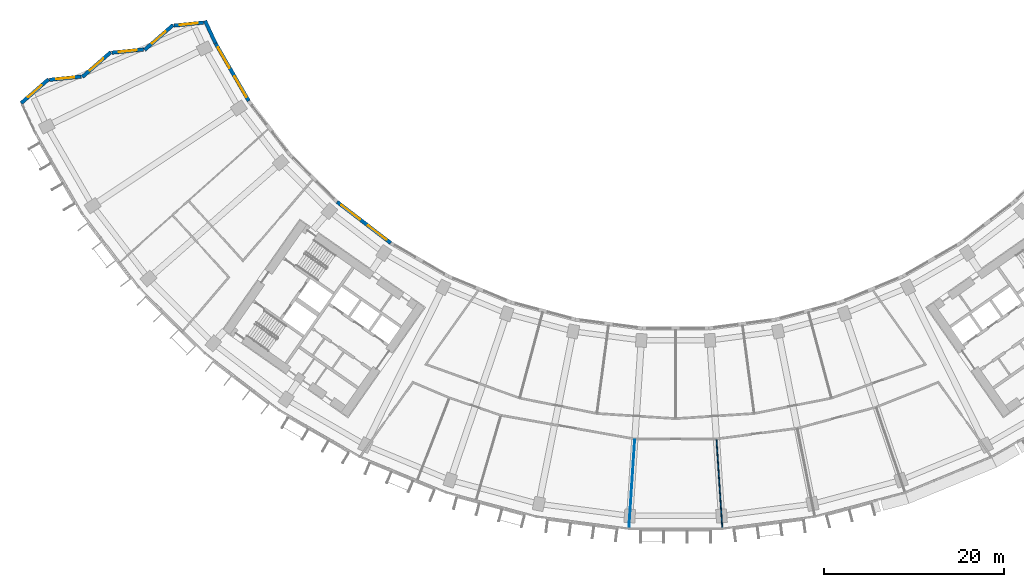
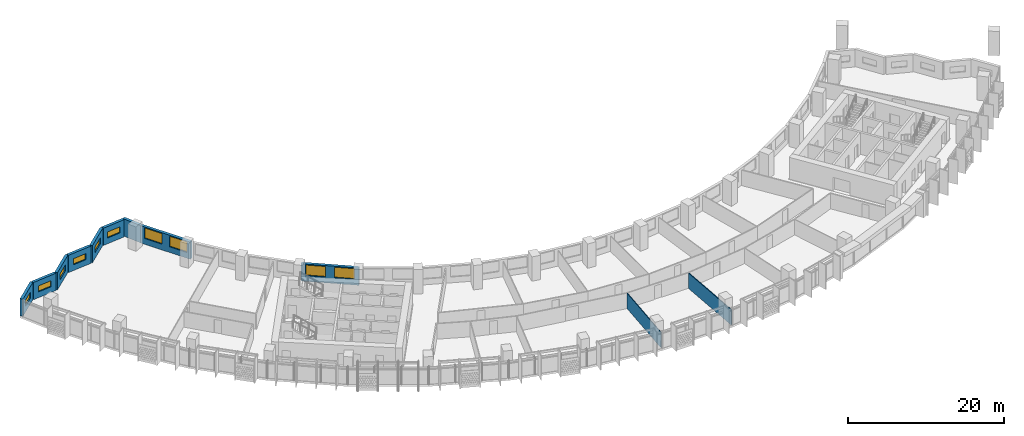
# One storey, part 5 of 28: 11 walls, 10 windows, 10 openings.
"""IFC4 building model written with IfcOpenShell, lengths in metres."""

from ifc_helpers import new_model, si_unit, direction, frame, frame_2d, origin, place, context, subcontext, project, spatial, rectangle, extrude, material, layer, layer_set, type_object, element, fill, save


model = new_model("IFC4")

# Units and contexts
model_context = context("Model", 3, precision=1e-05, world=origin(), true_north=direction((0.0, 1.0)))
body_context = subcontext(model_context, "Body", "Model", "MODEL_VIEW")
ifc_project = project(units=[si_unit("LENGTHUNIT", "METRE"), si_unit("AREAUNIT", "SQUARE_METRE"), si_unit("VOLUMEUNIT", "CUBIC_METRE"), si_unit("PLANEANGLEUNIT", "RADIAN"), si_unit("MASSUNIT", "GRAM", prefix="KILO")], contexts=[model_context])

# Site, building, storey
site_placement = place(None, origin())
site = spatial("IfcSite", under=ifc_project, at=site_placement, CompositionType="ELEMENT")
building_placement = place(site_placement, origin())
building = spatial("IfcBuilding", under=site, at=building_placement, Name="Qamariyya Broadcast Tower", CompositionType="ELEMENT")
storey_placement = place(building_placement, frame((0.0, 0.0, 140.5)))
storey = spatial("IfcBuildingStorey", under=building, at=storey_placement, Name="L32", CompositionType="ELEMENT", Elevation=140.5)

# Walls
ifc_material_1 = material(Name="Operable acoustic wall panels")
ifc_layer_1 = layer(ifc_material_1, 0.125)
ifc_layer_set_1 = layer_set([ifc_layer_1], Name="Operable acoustic partition 125")
wall_type_1 = type_object("IfcWallType", Name="Operable acoustic partition 125", PredefinedType="MOVABLE", material=ifc_layer_set_1)
wall_1_placement = place(storey_placement, frame((5.17333984375, -78.9306640625, 0.0), z_axis=(0.0, 0.0, 1.0), x_axis=(-0.065402415744, 0.997858970003, 0.0)))
element("IfcWall", 1, at=wall_1_placement, inside=storey, type_object=wall_type_1, Name="Operable partition L32-025", PredefinedType="MOVABLE", context=body_context, shape_type="SweptSolid", body=[
    extrude(rectangle(XDim=9.824951171875, YDim=0.125, at=frame_2d((4.91259765625, 0.0))), origin(), (0.0, 0.0, 1.0), 2.39990234375),
])
ifc_material_2 = material(Name="Gypsum board partition")
ifc_layer_2 = layer(ifc_material_2, 0.10009765625)
ifc_layer_set_2 = layer_set([ifc_layer_2], Name="Partition 100")
wall_type_2 = type_object("IfcWallType", Name="Partition 100", PredefinedType="PARTITIONING", material=ifc_layer_set_2)
wall_2_placement = place(storey_placement, frame((-5.17333984375, -78.9306640625, 0.0), z_axis=(0.0, 0.0, 1.0), x_axis=(0.065402415744, 0.997858970003, 0.0)))
element("IfcWall", 2, at=wall_2_placement, inside=storey, type_object=wall_type_2, Name="Partition L32-020", PredefinedType="PARTITIONING", context=body_context, shape_type="SweptSolid", body=[
    extrude(rectangle(XDim=9.824951171875, YDim=0.10009765625, at=frame_2d((4.91259765625, 0.0))), origin(), (0.0, 0.0, 1.0), 2.39990234375),
])

# Wall, opening, window
ifc_material_3 = material(Name="Terracotta", Category="masonry")
ifc_layer_3 = layer(ifc_material_3, 0.39990234375)
ifc_layer_set_3 = layer_set([ifc_layer_3], Name="Terracotta clad wall 400")
wall_type_3 = type_object("IfcWallType", Name="Terracotta clad wall 400", PredefinedType="SOLIDWALL", material=ifc_layer_set_3)
wall_3_placement = place(storey_placement, frame((-52.355224609375, -22.878173828125, 0.0), z_axis=(0.0, 0.0, 1.0), x_axis=(-0.99486451318, -0.101215613493, 0.0)))
wall_3 = element("IfcWall", 3, at=wall_3_placement, inside=storey, type_object=wall_type_3, Name="e-wl-L32-capW0", PredefinedType="SOLIDWALL", context=body_context, shape_type="SweptSolid", body=[
    extrude(rectangle(XDim=3.275634765625, YDim=0.39990234375, at=frame_2d((1.6376953125, 0.0))), origin(), (0.0, 0.0, 1.0), 2.699951171875),
])
opening_1_placement = place(wall_3_placement, frame((0.6376953125, 0.0, 0.89990234375)))
opening_1 = element("IfcOpeningElement", 4, at=opening_1_placement, cuts=wall_3, Name="Opening W4", PredefinedType="OPENING", context=body_context, shape_type="SweptSolid", body=[
    extrude(rectangle(XDim=2.0, YDim=0.949951171875, at=frame_2d((1.0, 0.47509765625))), frame((0.0, 0.2099609375, 0.0), z_axis=(0.0, -1.0, 0.0), x_axis=(1.0, 0.0, 0.0)), (0.0, 0.0, 1.0), 0.419921875),
])
ifc_material_4 = material(Name="Clear low-e double glazed unit in aluminium frame", Category="aluminium")
window_type_1 = type_object("IfcWindowType", Name="Horn bay window 2000 x 950", PartitioningType="SINGLE_PANEL", PredefinedType="WINDOW", material=ifc_material_4)
window_1_placement = place(opening_1_placement, origin())
window_1 = element("IfcWindow", 5, at=window_1_placement, inside=storey, type_object=window_type_1, Name="e-w-L32-capW0", OverallHeight=0.949951171875, OverallWidth=2.0, PartitioningType="SINGLE_PANEL", PredefinedType="WINDOW", context=body_context, shape_type="SweptSolid", body=[
    extrude(rectangle(XDim=2.0, YDim=0.949951171875, at=frame_2d((1.0, 0.47509765625))), frame((0.0, 0.030029296875, 0.0), z_axis=(0.0, -1.0, 0.0), x_axis=(1.0, 0.0, 0.0)), (0.0, 0.0, 1.0), 0.06005859375),
])
fill(opening_1, window_1)

wall_4_placement = place(storey_placement, frame((-55.735595703125, -23.1552734375, 0.0), z_axis=(0.0, 0.0, 1.0), x_axis=(-0.752951562927, -0.65807594082, 0.0)))
wall_4 = element("IfcWall", 6, at=wall_4_placement, inside=storey, type_object=wall_type_3, Name="e-wl-L32-capW1", PredefinedType="SOLIDWALL", context=body_context, shape_type="SweptSolid", body=[
    extrude(rectangle(XDim=4.1943359375, YDim=0.39990234375, at=frame_2d((2.09716796875, 0.0))), origin(), (0.0, 0.0, 1.0), 2.699951171875),
])
opening_2_placement = place(wall_4_placement, frame((1.09716796875, 0.0, 0.89990234375)))
opening_2 = element("IfcOpeningElement", 7, at=opening_2_placement, cuts=wall_4, Name="Opening W4", PredefinedType="OPENING", context=body_context, shape_type="SweptSolid", body=[
    extrude(rectangle(XDim=2.0, YDim=0.949951171875, at=frame_2d((1.0, 0.47509765625))), frame((0.0, 0.2099609375, 0.0), z_axis=(0.0, -1.0, 0.0), x_axis=(1.0, 0.0, 0.0)), (0.0, 0.0, 1.0), 0.419921875),
])
window_2_placement = place(opening_2_placement, origin())
window_2 = element("IfcWindow", 8, at=window_2_placement, inside=storey, type_object=window_type_1, Name="e-w-L32-capW1", OverallHeight=0.949951171875, OverallWidth=2.0, PartitioningType="SINGLE_PANEL", PredefinedType="WINDOW", context=body_context, shape_type="SweptSolid", body=[
    extrude(rectangle(XDim=2.0, YDim=0.949951171875, at=frame_2d((1.0, 0.47509765625))), frame((0.0, 0.030029296875, 0.0), z_axis=(0.0, -1.0, 0.0), x_axis=(1.0, 0.0, 0.0)), (0.0, 0.0, 1.0), 0.06005859375),
])
fill(opening_2, window_2)

wall_5_placement = place(storey_placement, frame((-59.015380859375, -25.861083984375, 0.0), z_axis=(0.0, 0.0, 1.0), x_axis=(-0.994852399112, -0.101334613932, 0.0)))
wall_5 = element("IfcWall", 9, at=wall_5_placement, inside=storey, type_object=wall_type_3, Name="e-wl-L32-capW2", PredefinedType="SOLIDWALL", context=body_context, shape_type="SweptSolid", body=[
    extrude(rectangle(XDim=3.524658203125, YDim=0.39990234375, at=frame_2d((1.76220703125, 0.0))), origin(), (0.0, 0.0, 1.0), 2.699951171875),
])
opening_3_placement = place(wall_5_placement, frame((0.762451171875, 0.0, 0.89990234375)))
opening_3 = element("IfcOpeningElement", 10, at=opening_3_placement, cuts=wall_5, Name="Opening W4", PredefinedType="OPENING", context=body_context, shape_type="SweptSolid", body=[
    extrude(rectangle(XDim=2.0, YDim=0.949951171875, at=frame_2d((1.0, 0.47509765625))), frame((0.0, 0.2099609375, 0.0), z_axis=(0.0, -1.0, 0.0), x_axis=(1.0, 0.0, 0.0)), (0.0, 0.0, 1.0), 0.419921875),
])
window_3_placement = place(opening_3_placement, origin())
window_3 = element("IfcWindow", 11, at=window_3_placement, inside=storey, type_object=window_type_1, Name="e-w-L32-capW2", OverallHeight=0.949951171875, OverallWidth=2.0, PartitioningType="SINGLE_PANEL", PredefinedType="WINDOW", context=body_context, shape_type="SweptSolid", body=[
    extrude(rectangle(XDim=2.0, YDim=0.949951171875, at=frame_2d((1.0, 0.47509765625))), frame((0.0, 0.030029296875, 0.0), z_axis=(0.0, -1.0, 0.0), x_axis=(1.0, 0.0, 0.0)), (0.0, 0.0, 1.0), 0.06005859375),
])
fill(opening_3, window_3)

wall_6_placement = place(storey_placement, frame((-62.6435546875, -26.16357421875, 0.0), z_axis=(0.0, 0.0, 1.0), x_axis=(-0.752883186222, -0.658154167277, 0.0)))
wall_6 = element("IfcWall", 12, at=wall_6_placement, inside=storey, type_object=wall_type_3, Name="e-wl-L32-capW3", PredefinedType="SOLIDWALL", context=body_context, shape_type="SweptSolid", body=[
    extrude(rectangle(XDim=4.193115234375, YDim=0.39990234375, at=frame_2d((2.0966796875, 0.0))), origin(), (0.0, 0.0, 1.0), 2.699951171875),
])
opening_4_placement = place(wall_6_placement, frame((1.0966796875, 0.0, 0.89990234375)))
opening_4 = element("IfcOpeningElement", 13, at=opening_4_placement, cuts=wall_6, Name="Opening W4", PredefinedType="OPENING", context=body_context, shape_type="SweptSolid", body=[
    extrude(rectangle(XDim=2.0, YDim=0.949951171875, at=frame_2d((1.0, 0.47509765625))), frame((0.0, 0.2099609375, 0.0), z_axis=(0.0, -1.0, 0.0), x_axis=(1.0, 0.0, 0.0)), (0.0, 0.0, 1.0), 0.419921875),
])
window_4_placement = place(opening_4_placement, origin())
window_4 = element("IfcWindow", 14, at=window_4_placement, inside=storey, type_object=window_type_1, Name="e-w-L32-capW3", OverallHeight=0.949951171875, OverallWidth=2.0, PartitioningType="SINGLE_PANEL", PredefinedType="WINDOW", context=body_context, shape_type="SweptSolid", body=[
    extrude(rectangle(XDim=2.0, YDim=0.949951171875, at=frame_2d((1.0, 0.47509765625))), frame((0.0, 0.030029296875, 0.0), z_axis=(0.0, -1.0, 0.0), x_axis=(1.0, 0.0, 0.0)), (0.0, 0.0, 1.0), 0.06005859375),
])
fill(opening_4, window_4)

wall_7_placement = place(storey_placement, frame((-65.922119140625, -28.868896484375, 0.0), z_axis=(0.0, 0.0, 1.0), x_axis=(-0.994841275779, -0.101443757849, 0.0)))
wall_7 = element("IfcWall", 15, at=wall_7_placement, inside=storey, type_object=wall_type_3, Name="e-wl-L32-capW4", PredefinedType="SOLIDWALL", context=body_context, shape_type="SweptSolid", body=[
    extrude(rectangle(XDim=3.525634765625, YDim=0.39990234375, at=frame_2d((1.7626953125, 0.0))), origin(), (0.0, 0.0, 1.0), 2.699951171875),
])
opening_5_placement = place(wall_7_placement, frame((0.762939453125, 0.0, 0.89990234375)))
opening_5 = element("IfcOpeningElement", 16, at=opening_5_placement, cuts=wall_7, Name="Opening W4", PredefinedType="OPENING", context=body_context, shape_type="SweptSolid", body=[
    extrude(rectangle(XDim=2.0, YDim=0.949951171875, at=frame_2d((1.0, 0.47509765625))), frame((0.0, 0.2099609375, 0.0), z_axis=(0.0, -1.0, 0.0), x_axis=(1.0, 0.0, 0.0)), (0.0, 0.0, 1.0), 0.419921875),
])
window_5_placement = place(opening_5_placement, origin())
window_5 = element("IfcWindow", 17, at=window_5_placement, inside=storey, type_object=window_type_1, Name="e-w-L32-capW4", OverallHeight=0.949951171875, OverallWidth=2.0, PartitioningType="SINGLE_PANEL", PredefinedType="WINDOW", context=body_context, shape_type="SweptSolid", body=[
    extrude(rectangle(XDim=2.0, YDim=0.949951171875, at=frame_2d((1.0, 0.47509765625))), frame((0.0, 0.030029296875, 0.0), z_axis=(0.0, -1.0, 0.0), x_axis=(1.0, 0.0, 0.0)), (0.0, 0.0, 1.0), 0.06005859375),
])
fill(opening_5, window_5)

wall_8_placement = place(storey_placement, frame((-69.55126953125, -29.172119140625, 0.0), z_axis=(0.0, 0.0, 1.0), x_axis=(-0.752847949113, -0.658194473933, 0.0)))
wall_8 = element("IfcWall", 18, at=wall_8_placement, inside=storey, type_object=wall_type_3, Name="e-wl-L32-capW5", PredefinedType="SOLIDWALL", context=body_context, shape_type="SweptSolid", body=[
    extrude(rectangle(XDim=4.013427734375, YDim=0.39990234375, at=frame_2d((2.0068359375, 0.0))), origin(), (0.0, 0.0, 1.0), 2.699951171875),
])
opening_6_placement = place(wall_8_placement, frame((1.0068359375, 0.0, 0.89990234375)))
opening_6 = element("IfcOpeningElement", 19, at=opening_6_placement, cuts=wall_8, Name="Opening W4", PredefinedType="OPENING", context=body_context, shape_type="SweptSolid", body=[
    extrude(rectangle(XDim=2.0, YDim=0.949951171875, at=frame_2d((1.0, 0.47509765625))), frame((0.0, 0.2099609375, 0.0), z_axis=(0.0, -1.0, 0.0), x_axis=(1.0, 0.0, 0.0)), (0.0, 0.0, 1.0), 0.419921875),
])
window_6_placement = place(opening_6_placement, origin())
window_6 = element("IfcWindow", 20, at=window_6_placement, inside=storey, type_object=window_type_1, Name="e-w-L32-capW5", OverallHeight=0.949951171875, OverallWidth=2.0, PartitioningType="SINGLE_PANEL", PredefinedType="WINDOW", context=body_context, shape_type="SweptSolid", body=[
    extrude(rectangle(XDim=2.0, YDim=0.949951171875, at=frame_2d((1.0, 0.47509765625))), frame((0.0, 0.030029296875, 0.0), z_axis=(0.0, -1.0, 0.0), x_axis=(1.0, 0.0, 0.0)), (0.0, 0.0, 1.0), 0.06005859375),
])
fill(opening_6, window_6)

# Wall
wall_9_placement = place(storey_placement, frame((-51.02392578125, -25.18359375, 0.0), z_axis=(0.0, 0.0, 1.0), x_axis=(-0.420942341964, 0.907087396419, 0.0)))
element("IfcWall", 21, at=wall_9_placement, inside=storey, type_object=wall_type_3, Name="e-wl-L32-in00", PredefinedType="SOLIDWALL", context=body_context, shape_type="SweptSolid", body=[
    extrude(rectangle(XDim=2.759521484375, YDim=0.39990234375, at=frame_2d((1.3798828125, 0.0))), origin(), (0.0, 0.0, 1.0), 2.699951171875),
])

# Wall, openings, windows
wall_10_placement = place(storey_placement, frame((-47.33642578125, -31.568359375, 0.0), z_axis=(0.0, 0.0, 1.0), x_axis=(-0.499994443168, 0.866028611999, 0.0)))
wall_10 = element("IfcWall", 22, at=wall_10_placement, inside=storey, type_object=wall_type_3, Name="e-wl-L32-in10", PredefinedType="SOLIDWALL", context=body_context, shape_type="SweptSolid", body=[
    extrude(rectangle(XDim=7.35546875, YDim=0.39990234375, at=frame_2d((3.677734375, 0.0))), origin(), (0.0, 0.0, 1.0), 2.699951171875),
])
opening_7_placement = place(wall_10_placement, frame((4.224853515625, 0.0, 0.89990234375)))
opening_7 = element("IfcOpeningElement", 23, at=opening_7_placement, cuts=wall_10, Name="Opening W1", PredefinedType="OPENING", context=body_context, shape_type="SweptSolid", body=[
    extrude(rectangle(XDim=2.60009765625, YDim=1.64990234375, at=frame_2d((1.300048828125, 0.824951171875))), frame((0.0, 0.2099609375, 0.0), z_axis=(0.0, -1.0, 0.0), x_axis=(1.0, 0.0, 0.0)), (0.0, 0.0, 1.0), 0.419921875),
])
opening_8_placement = place(wall_10_placement, frame((0.5166015625, 0.0, 0.89990234375)))
opening_8 = element("IfcOpeningElement", 24, at=opening_8_placement, cuts=wall_10, Name="Opening W1", PredefinedType="OPENING", context=body_context, shape_type="SweptSolid", body=[
    extrude(rectangle(XDim=2.60009765625, YDim=1.64990234375, at=frame_2d((1.300048828125, 0.824951171875))), frame((0.0, 0.2099609375, 0.0), z_axis=(0.0, -1.0, 0.0), x_axis=(1.0, 0.0, 0.0)), (0.0, 0.0, 1.0), 0.419921875),
])
window_type_2 = type_object("IfcWindowType", Name="Ribbon window 2600 x 1650", PartitioningType="SINGLE_PANEL", PredefinedType="WINDOW", material=ifc_material_4)
window_7_placement = place(opening_7_placement, origin())
window_7 = element("IfcWindow", 25, at=window_7_placement, inside=storey, type_object=window_type_2, Name="e-w-L32-in01-0", OverallHeight=1.64990234375, OverallWidth=2.60009765625, PartitioningType="SINGLE_PANEL", PredefinedType="WINDOW", context=body_context, shape_type="SweptSolid", body=[
    extrude(rectangle(XDim=2.60009765625, YDim=1.64990234375, at=frame_2d((1.300048828125, 0.824951171875))), frame((0.0, 0.030029296875, 0.0), z_axis=(0.0, -1.0, 0.0), x_axis=(1.0, 0.0, 0.0)), (0.0, 0.0, 1.0), 0.06005859375),
])
fill(opening_7, window_7)
window_8_placement = place(opening_8_placement, origin())
window_8 = element("IfcWindow", 26, at=window_8_placement, inside=storey, type_object=window_type_2, Name="e-w-L32-in01-1", OverallHeight=1.64990234375, OverallWidth=2.60009765625, PartitioningType="SINGLE_PANEL", PredefinedType="WINDOW", context=body_context, shape_type="SweptSolid", body=[
    extrude(rectangle(XDim=2.60009765625, YDim=1.64990234375, at=frame_2d((1.300048828125, 0.824951171875))), frame((0.0, 0.030029296875, 0.0), z_axis=(0.0, -1.0, 0.0), x_axis=(1.0, 0.0, 0.0)), (0.0, 0.0, 1.0), 0.06005859375),
])
fill(opening_8, window_8)

wall_11_placement = place(storey_placement, frame((-31.59228515625, -47.326171875, 0.0), z_axis=(0.0, 0.0, 1.0), x_axis=(-0.793363487476, 0.608748204711, 0.0)))
wall_11 = element("IfcWall", 27, at=wall_11_placement, inside=storey, type_object=wall_type_3, Name="e-wl-L32-in40", PredefinedType="SOLIDWALL", context=body_context, shape_type="SweptSolid", body=[
    extrude(rectangle(XDim=7.492919921875, YDim=0.39990234375, at=frame_2d((3.74658203125, 0.0))), origin(), (0.0, 0.0, 1.0), 2.699951171875),
])
opening_9_placement = place(wall_11_placement, frame((4.300537109375, 0.0, 0.89990234375)))
opening_9 = element("IfcOpeningElement", 28, at=opening_9_placement, cuts=wall_11, Name="Opening W1", PredefinedType="OPENING", context=body_context, shape_type="SweptSolid", body=[
    extrude(rectangle(XDim=2.60009765625, YDim=1.64990234375, at=frame_2d((1.300048828125, 0.824951171875))), frame((0.0, 0.2099609375, 0.0), z_axis=(0.0, -1.0, 0.0), x_axis=(1.0, 0.0, 0.0)), (0.0, 0.0, 1.0), 0.419921875),
])
opening_10_placement = place(wall_11_placement, frame((0.59228515625, 0.0, 0.89990234375)))
opening_10 = element("IfcOpeningElement", 29, at=opening_10_placement, cuts=wall_11, Name="Opening W1", PredefinedType="OPENING", context=body_context, shape_type="SweptSolid", body=[
    extrude(rectangle(XDim=2.60009765625, YDim=1.64990234375, at=frame_2d((1.300048828125, 0.824951171875))), frame((0.0, 0.2099609375, 0.0), z_axis=(0.0, -1.0, 0.0), x_axis=(1.0, 0.0, 0.0)), (0.0, 0.0, 1.0), 0.419921875),
])
window_9_placement = place(opening_9_placement, origin())
window_9 = element("IfcWindow", 30, at=window_9_placement, inside=storey, type_object=window_type_2, Name="e-w-L32-in04-0", OverallHeight=1.64990234375, OverallWidth=2.60009765625, PartitioningType="SINGLE_PANEL", PredefinedType="WINDOW", context=body_context, shape_type="SweptSolid", body=[
    extrude(rectangle(XDim=2.60009765625, YDim=1.64990234375, at=frame_2d((1.300048828125, 0.824951171875))), frame((0.0, 0.030029296875, 0.0), z_axis=(0.0, -1.0, 0.0), x_axis=(1.0, 0.0, 0.0)), (0.0, 0.0, 1.0), 0.06005859375),
])
fill(opening_9, window_9)
window_10_placement = place(opening_10_placement, origin())
window_10 = element("IfcWindow", 31, at=window_10_placement, inside=storey, type_object=window_type_2, Name="e-w-L32-in04-1", OverallHeight=1.64990234375, OverallWidth=2.60009765625, PartitioningType="SINGLE_PANEL", PredefinedType="WINDOW", context=body_context, shape_type="SweptSolid", body=[
    extrude(rectangle(XDim=2.60009765625, YDim=1.64990234375, at=frame_2d((1.300048828125, 0.824951171875))), frame((0.0, 0.030029296875, 0.0), z_axis=(0.0, -1.0, 0.0), x_axis=(1.0, 0.0, 0.0)), (0.0, 0.0, 1.0), 0.06005859375),
])
fill(opening_10, window_10)

save(model, "model.ifc")
